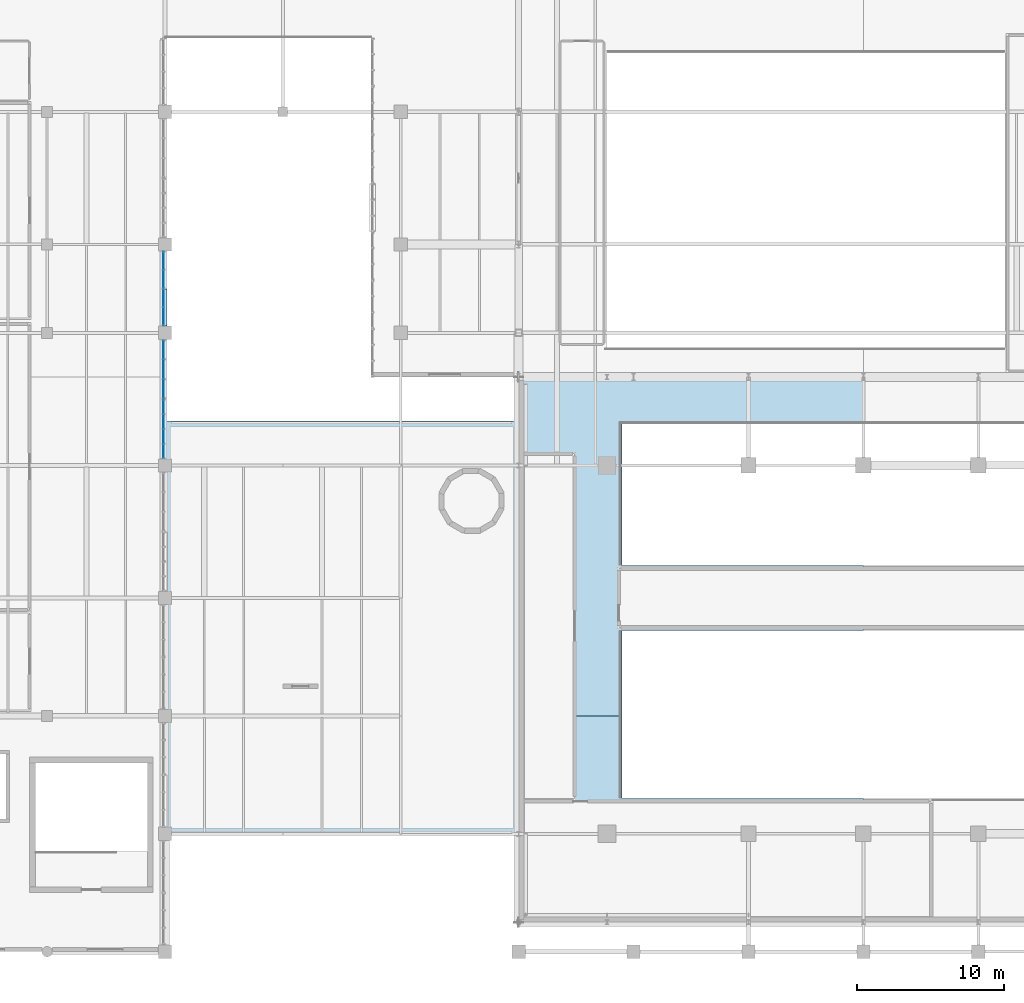
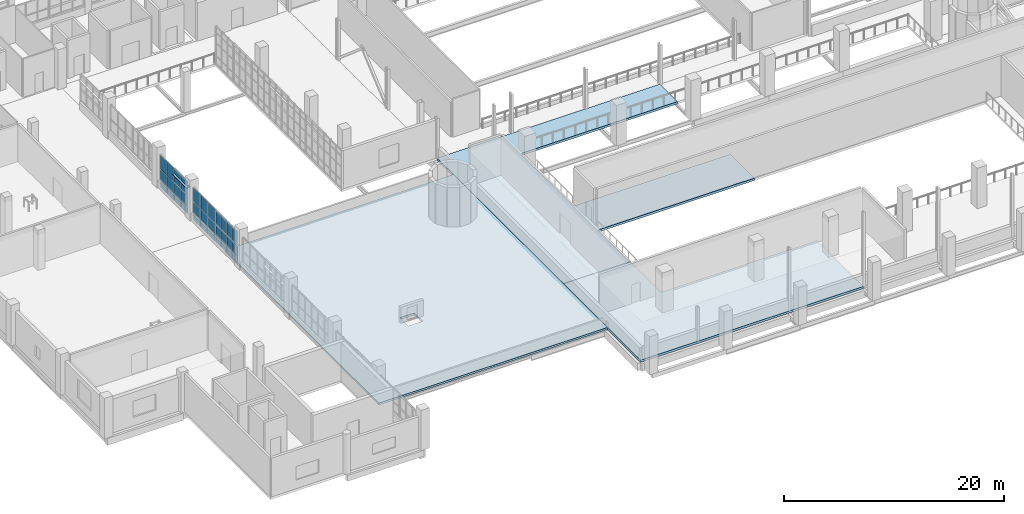
# One storey, part 52 of 85: 34 plates, 3 slabs, 4 elements without a shape of their own.
"""IFC4 building model written with IfcOpenShell, lengths in metres."""

from ifc_helpers import new_model, si_unit, derived_unit, direction, frame, origin, origin_2d, place, context, subcontext, project, spatial, polyline, rectangle, outline, extrude, material, layer, layer_set, type_object, element, aggregate, save


model = new_model("IFC4")

# Units and contexts
model_context = context("Model", 3, precision=1e-05, world=origin(), true_north=direction((0.0, 1.0)))
body_context = subcontext(model_context, "Body", "Model", "MODEL_VIEW")
ifc_project = project(units=[si_unit("LENGTHUNIT", "METRE"), si_unit("AREAUNIT", "SQUARE_METRE"), si_unit("VOLUMEUNIT", "CUBIC_METRE"), si_unit("PLANEANGLEUNIT", "RADIAN"), si_unit("MASSUNIT", "GRAM", prefix="KILO"), derived_unit("THERMALTRANSMITTANCEUNIT", [(si_unit("POWERUNIT", "WATT"), 1), (si_unit("LENGTHUNIT", "METRE"), -2), (si_unit("THERMODYNAMICTEMPERATUREUNIT", "KELVIN"), -1)])], contexts=[model_context])

# Site, building, storey
site_placement = place(None, origin())
site = spatial("IfcSite", under=ifc_project, at=site_placement, CompositionType="ELEMENT")
building_placement = place(site_placement, origin())
building = spatial("IfcBuilding", under=site, at=building_placement, Name="Nallur Shell Playhouse", CompositionType="ELEMENT")
storey_placement = place(building_placement, frame((0.0, 0.0, 19.800048828125)))
storey = spatial("IfcBuildingStorey", under=building, at=storey_placement, Name="L05", CompositionType="ELEMENT", Elevation=19.800048828125)

# Curtain wall, plates
ifc_material_1 = material(Name="Anodised Aluminium Double-Glazed Facade System", Category="aluminium")
ifc_layer_1 = layer(ifc_material_1, 0.179931640625)
ifc_layer_set_1 = layer_set([ifc_layer_1], Name="Anodised Aluminium Double-Glazed Facade System")
curtain_wall_type_1 = type_object("IfcCurtainWallType", Name="CW-UNIT-17", PredefinedType="NOTDEFINED", material=ifc_layer_set_1)
curtain_wall_1_placement = place(storey_placement, origin())
curtain_wall_1 = element("IfcCurtainWall", 1, at=curtain_wall_1_placement, inside=storey, type_object=curtain_wall_type_1, Name="Unitised curtain wall CW-177 (L05)", PredefinedType="NOTDEFINED")
ifc_material_2 = material(Name="Solar-Control Low-E Laminated Insulating Glass", Category="glass")
ifc_layer_2 = layer(ifc_material_2, 0.02587890625)
ifc_layer_set_2 = layer_set([ifc_layer_2], Name="Solar-Control Low-E Laminated Insulating Glass")
plate_type_1 = type_object("IfcPlateType", Name="PT-GLZ-01", PredefinedType="CURTAIN_PANEL", material=ifc_layer_set_2)
plate_1_placement = place(storey_placement, frame((39.909912109375, 48.850341796875, 0.05712890625), z_axis=(0.0, 0.0, 1.0), x_axis=(0.0, -1.0, 0.0)))
plate_1 = element("IfcPlate", 2, at=plate_1_placement, type_object=plate_type_1, Name="CW-17 panel 1.1", PredefinedType="CURTAIN_PANEL", context=body_context, shape_type="SweptSolid", body=[
    extrude(rectangle(XDim=1.249267578125, YDim=0.02587890625, at=origin_2d()), origin(), (0.0, 0.0, 1.0), 0.818603515625),
])
plate_2_placement = place(storey_placement, frame((39.909912109375, 48.850341796875, 0.92431640625), z_axis=(0.0, 0.0, 1.0), x_axis=(0.0, -1.0, 0.0)))
plate_2 = element("IfcPlate", 3, at=plate_2_placement, type_object=plate_type_1, Name="CW-17 panel 1.2", PredefinedType="CURTAIN_PANEL", context=body_context, shape_type="SweptSolid", body=[
    extrude(rectangle(XDim=1.249267578125, YDim=0.02587890625, at=origin_2d()), origin(), (0.0, 0.0, 1.0), 1.10302734375),
])
plate_3_placement = place(storey_placement, frame((39.909912109375, 48.850341796875, 2.07666015625), z_axis=(0.0, 0.0, 1.0), x_axis=(0.0, -1.0, 0.0)))
plate_3 = element("IfcPlate", 4, at=plate_3_placement, type_object=plate_type_1, Name="CW-17 panel 1.3", PredefinedType="CURTAIN_PANEL", context=body_context, shape_type="SweptSolid", body=[
    extrude(rectangle(XDim=1.249267578125, YDim=0.02587890625, at=origin_2d()), origin(), (0.0, 0.0, 1.0), 1.531494140625),
])
plate_4_placement = place(storey_placement, frame((39.909912109375, 47.5234375, 0.05712890625), z_axis=(0.0, 0.0, 1.0), x_axis=(0.0, -1.0, 0.0)))
plate_4 = element("IfcPlate", 5, at=plate_4_placement, type_object=plate_type_1, Name="CW-17 panel 2.1", PredefinedType="CURTAIN_PANEL", context=body_context, shape_type="SweptSolid", body=[
    extrude(rectangle(XDim=1.28662109375, YDim=0.02587890625, at=origin_2d()), origin(), (0.0, 0.0, 1.0), 0.818603515625),
])
plate_5_placement = place(storey_placement, frame((39.909912109375, 47.5234375, 0.92431640625), z_axis=(0.0, 0.0, 1.0), x_axis=(0.0, -1.0, 0.0)))
plate_5 = element("IfcPlate", 6, at=plate_5_placement, type_object=plate_type_1, Name="CW-17 panel 2.2", PredefinedType="CURTAIN_PANEL", context=body_context, shape_type="SweptSolid", body=[
    extrude(rectangle(XDim=1.28662109375, YDim=0.02587890625, at=origin_2d()), origin(), (0.0, 0.0, 1.0), 1.10302734375),
])
plate_6_placement = place(storey_placement, frame((39.909912109375, 47.5234375, 2.07666015625), z_axis=(0.0, 0.0, 1.0), x_axis=(0.0, -1.0, 0.0)))
plate_6 = element("IfcPlate", 7, at=plate_6_placement, type_object=plate_type_1, Name="CW-17 panel 2.3", PredefinedType="CURTAIN_PANEL", context=body_context, shape_type="SweptSolid", body=[
    extrude(rectangle(XDim=1.28662109375, YDim=0.02587890625, at=origin_2d()), origin(), (0.0, 0.0, 1.0), 1.531494140625),
])
plate_7_placement = place(storey_placement, frame((39.909912109375, 46.196533203125, 0.05712890625), z_axis=(0.0, 0.0, 1.0), x_axis=(0.0, -1.0, 0.0)))
plate_7 = element("IfcPlate", 8, at=plate_7_placement, type_object=plate_type_1, Name="CW-17 panel 3.1", PredefinedType="CURTAIN_PANEL", context=body_context, shape_type="SweptSolid", body=[
    extrude(rectangle(XDim=1.249267578125, YDim=0.02587890625, at=origin_2d()), origin(), (0.0, 0.0, 1.0), 0.818603515625),
])
plate_8_placement = place(storey_placement, frame((39.909912109375, 46.196533203125, 0.92431640625), z_axis=(0.0, 0.0, 1.0), x_axis=(0.0, -1.0, 0.0)))
plate_8 = element("IfcPlate", 9, at=plate_8_placement, type_object=plate_type_1, Name="CW-17 panel 3.2", PredefinedType="CURTAIN_PANEL", context=body_context, shape_type="SweptSolid", body=[
    extrude(rectangle(XDim=1.249267578125, YDim=0.02587890625, at=origin_2d()), origin(), (0.0, 0.0, 1.0), 1.10302734375),
])
plate_9_placement = place(storey_placement, frame((39.909912109375, 46.196533203125, 2.07666015625), z_axis=(0.0, 0.0, 1.0), x_axis=(0.0, -1.0, 0.0)))
plate_9 = element("IfcPlate", 10, at=plate_9_placement, type_object=plate_type_1, Name="CW-17 panel 3.3", PredefinedType="CURTAIN_PANEL", context=body_context, shape_type="SweptSolid", body=[
    extrude(rectangle(XDim=1.249267578125, YDim=0.02587890625, at=origin_2d()), origin(), (0.0, 0.0, 1.0), 1.531494140625),
])
aggregate(curtain_wall_1, [plate_1, plate_2, plate_3, plate_4, plate_5, plate_6, plate_7, plate_8, plate_9])

ifc_layer_3 = layer(ifc_material_1, 0.159912109375)
ifc_layer_set_3 = layer_set([ifc_layer_3], Name="Anodised Aluminium Double-Glazed Facade System")
curtain_wall_type_2 = type_object("IfcCurtainWallType", Name="CW-UNIT-18", PredefinedType="NOTDEFINED", material=ifc_layer_set_3)
curtain_wall_2_placement = place(storey_placement, origin())
curtain_wall_2 = element("IfcCurtainWall", 11, at=curtain_wall_2_placement, inside=storey, type_object=curtain_wall_type_2, Name="Unitised curtain wall CW-178 (L05)", PredefinedType="NOTDEFINED")
ifc_layer_4 = layer(ifc_material_2, 0.028076171875)
ifc_layer_set_4 = layer_set([ifc_layer_4], Name="Solar-Control Low-E Laminated Insulating Glass")
plate_type_2 = type_object("IfcPlateType", Name="PT-GLZ-02", PredefinedType="CURTAIN_PANEL", material=ifc_layer_set_4)
plate_10_placement = place(storey_placement, frame((39.909912109375, 44.97412109375, 0.091796875), z_axis=(0.0, 0.0, 1.0), x_axis=(0.0, -1.0, 0.0)))
plate_10 = element("IfcPlate", 12, at=plate_10_placement, type_object=plate_type_2, Name="CW-18 panel 1.1", PredefinedType="CURTAIN_PANEL", context=body_context, shape_type="SweptSolid", body=[
    extrude(rectangle(XDim=0.927734375, YDim=0.028076171875, at=origin_2d()), origin(), (0.0, 0.0, 1.0), 0.76611328125),
])
plate_11_placement = place(storey_placement, frame((39.909912109375, 44.97412109375, 0.94189453125), z_axis=(0.0, 0.0, 1.0), x_axis=(0.0, -1.0, 0.0)))
plate_11 = element("IfcPlate", 13, at=plate_11_placement, type_object=plate_type_2, Name="CW-18 panel 1.2", PredefinedType="CURTAIN_PANEL", context=body_context, shape_type="SweptSolid", body=[
    extrude(rectangle(XDim=0.927734375, YDim=0.028076171875, at=origin_2d()), origin(), (0.0, 0.0, 1.0), 1.056884765625),
])
plate_12_placement = place(storey_placement, frame((39.909912109375, 44.97412109375, 2.0830078125), z_axis=(0.0, 0.0, 1.0), x_axis=(0.0, -1.0, 0.0)))
plate_12 = element("IfcPlate", 14, at=plate_12_placement, type_object=plate_type_2, Name="CW-18 panel 1.3", PredefinedType="CURTAIN_PANEL", context=body_context, shape_type="SweptSolid", body=[
    extrude(rectangle(XDim=0.927734375, YDim=0.028076171875, at=origin_2d()), origin(), (0.0, 0.0, 1.0), 1.469970703125),
])
plate_13_placement = place(storey_placement, frame((39.909912109375, 43.981201171875, 0.091796875), z_axis=(0.0, 0.0, 1.0), x_axis=(0.0, -1.0, 0.0)))
plate_13 = element("IfcPlate", 15, at=plate_13_placement, type_object=plate_type_2, Name="CW-18 panel 2.1", PredefinedType="CURTAIN_PANEL", context=body_context, shape_type="SweptSolid", body=[
    extrude(rectangle(XDim=0.960205078125, YDim=0.028076171875, at=origin_2d()), origin(), (0.0, 0.0, 1.0), 0.76611328125),
])
plate_14_placement = place(storey_placement, frame((39.909912109375, 43.981201171875, 0.94189453125), z_axis=(0.0, 0.0, 1.0), x_axis=(0.0, -1.0, 0.0)))
plate_14 = element("IfcPlate", 16, at=plate_14_placement, type_object=plate_type_2, Name="CW-18 panel 2.2", PredefinedType="CURTAIN_PANEL", context=body_context, shape_type="SweptSolid", body=[
    extrude(rectangle(XDim=0.960205078125, YDim=0.028076171875, at=origin_2d()), origin(), (0.0, 0.0, 1.0), 1.056884765625),
])
plate_15_placement = place(storey_placement, frame((39.909912109375, 43.981201171875, 2.0830078125), z_axis=(0.0, 0.0, 1.0), x_axis=(0.0, -1.0, 0.0)))
plate_15 = element("IfcPlate", 17, at=plate_15_placement, type_object=plate_type_2, Name="CW-18 panel 2.3", PredefinedType="CURTAIN_PANEL", context=body_context, shape_type="SweptSolid", body=[
    extrude(rectangle(XDim=0.960205078125, YDim=0.028076171875, at=origin_2d()), origin(), (0.0, 0.0, 1.0), 1.469970703125),
])
plate_16_placement = place(storey_placement, frame((39.909912109375, 42.971923828125, 0.091796875), z_axis=(0.0, 0.0, 1.0), x_axis=(0.0, -1.0, 0.0)))
plate_16 = element("IfcPlate", 18, at=plate_16_placement, type_object=plate_type_2, Name="CW-18 panel 3.1", PredefinedType="CURTAIN_PANEL", context=body_context, shape_type="SweptSolid", body=[
    extrude(rectangle(XDim=0.960205078125, YDim=0.028076171875, at=origin_2d()), origin(), (0.0, 0.0, 1.0), 0.76611328125),
])
plate_17_placement = place(storey_placement, frame((39.909912109375, 42.971923828125, 0.94189453125), z_axis=(0.0, 0.0, 1.0), x_axis=(0.0, -1.0, 0.0)))
plate_17 = element("IfcPlate", 19, at=plate_17_placement, type_object=plate_type_2, Name="CW-18 panel 3.2", PredefinedType="CURTAIN_PANEL", context=body_context, shape_type="SweptSolid", body=[
    extrude(rectangle(XDim=0.960205078125, YDim=0.028076171875, at=origin_2d()), origin(), (0.0, 0.0, 1.0), 1.056884765625),
])
plate_18_placement = place(storey_placement, frame((39.909912109375, 42.971923828125, 2.0830078125), z_axis=(0.0, 0.0, 1.0), x_axis=(0.0, -1.0, 0.0)))
plate_18 = element("IfcPlate", 20, at=plate_18_placement, type_object=plate_type_2, Name="CW-18 panel 3.3", PredefinedType="CURTAIN_PANEL", context=body_context, shape_type="SweptSolid", body=[
    extrude(rectangle(XDim=0.960205078125, YDim=0.028076171875, at=origin_2d()), origin(), (0.0, 0.0, 1.0), 1.469970703125),
])
plate_19_placement = place(storey_placement, frame((39.909912109375, 41.978759765625, 0.091796875), z_axis=(0.0, 0.0, 1.0), x_axis=(0.0, -1.0, 0.0)))
plate_19 = element("IfcPlate", 21, at=plate_19_placement, type_object=plate_type_2, Name="CW-18 panel 4.1", PredefinedType="CURTAIN_PANEL", context=body_context, shape_type="SweptSolid", body=[
    extrude(rectangle(XDim=0.927734375, YDim=0.028076171875, at=origin_2d()), origin(), (0.0, 0.0, 1.0), 0.76611328125),
])
plate_20_placement = place(storey_placement, frame((39.909912109375, 41.978759765625, 0.94189453125), z_axis=(0.0, 0.0, 1.0), x_axis=(0.0, -1.0, 0.0)))
plate_20 = element("IfcPlate", 22, at=plate_20_placement, type_object=plate_type_2, Name="CW-18 panel 4.2", PredefinedType="CURTAIN_PANEL", context=body_context, shape_type="SweptSolid", body=[
    extrude(rectangle(XDim=0.927734375, YDim=0.028076171875, at=origin_2d()), origin(), (0.0, 0.0, 1.0), 1.056884765625),
])
plate_21_placement = place(storey_placement, frame((39.909912109375, 41.978759765625, 2.0830078125), z_axis=(0.0, 0.0, 1.0), x_axis=(0.0, -1.0, 0.0)))
plate_21 = element("IfcPlate", 23, at=plate_21_placement, type_object=plate_type_2, Name="CW-18 panel 4.3", PredefinedType="CURTAIN_PANEL", context=body_context, shape_type="SweptSolid", body=[
    extrude(rectangle(XDim=0.927734375, YDim=0.028076171875, at=origin_2d()), origin(), (0.0, 0.0, 1.0), 1.469970703125),
])
aggregate(curtain_wall_2, [plate_10, plate_11, plate_12, plate_13, plate_14, plate_15, plate_16, plate_17, plate_18, plate_19, plate_20, plate_21])

ifc_layer_5 = layer(ifc_material_1, 0.172119140625)
ifc_layer_set_5 = layer_set([ifc_layer_5], Name="Anodised Aluminium Double-Glazed Facade System")
curtain_wall_type_3 = type_object("IfcCurtainWallType", Name="CW-UNIT-15", PredefinedType="NOTDEFINED", material=ifc_layer_set_5)
curtain_wall_3_placement = place(storey_placement, origin())
curtain_wall_3 = element("IfcCurtainWall", 24, at=curtain_wall_3_placement, inside=storey, type_object=curtain_wall_type_3, Name="Unitised curtain wall CW-175 (L05)", PredefinedType="NOTDEFINED")
ifc_layer_6 = layer(ifc_material_2, 0.0380859375)
ifc_layer_set_6 = layer_set([ifc_layer_6], Name="Solar-Control Low-E Laminated Insulating Glass")
plate_type_3 = type_object("IfcPlateType", Name="PT-GLZ-07", PredefinedType="CURTAIN_PANEL", material=ifc_layer_set_6)
plate_22_placement = place(storey_placement, frame((39.909912109375, 54.8916015625, 0.05712890625), z_axis=(0.0, 0.0, 1.0), x_axis=(0.0, -1.0, 0.0)))
plate_22 = element("IfcPlate", 25, at=plate_22_placement, type_object=plate_type_3, Name="CW-15 panel 1.1", PredefinedType="CURTAIN_PANEL", context=body_context, shape_type="SweptSolid", body=[
    extrude(rectangle(XDim=1.18701171875, YDim=0.0380859375, at=origin_2d()), origin(), (0.0, 0.0, 1.0), 0.818603515625),
])
plate_23_placement = place(storey_placement, frame((39.909912109375, 54.8916015625, 0.924560546875), z_axis=(0.0, 0.0, 1.0), x_axis=(0.0, -1.0, 0.0)))
plate_23 = element("IfcPlate", 26, at=plate_23_placement, type_object=plate_type_3, Name="CW-15 panel 1.2", PredefinedType="CURTAIN_PANEL", context=body_context, shape_type="SweptSolid", body=[
    extrude(rectangle(XDim=1.18701171875, YDim=0.0380859375, at=origin_2d()), origin(), (0.0, 0.0, 1.0), 1.10888671875),
])
plate_24_placement = place(storey_placement, frame((39.909912109375, 54.8916015625, 2.08251953125), z_axis=(0.0, 0.0, 1.0), x_axis=(0.0, -1.0, 0.0)))
plate_24 = element("IfcPlate", 27, at=plate_24_placement, type_object=plate_type_3, Name="CW-15 panel 1.3", PredefinedType="CURTAIN_PANEL", context=body_context, shape_type="SweptSolid", body=[
    extrude(rectangle(XDim=1.18701171875, YDim=0.0380859375, at=origin_2d()), origin(), (0.0, 0.0, 1.0), 1.535400390625),
])
plate_25_placement = place(storey_placement, frame((39.909912109375, 53.655517578125, 0.05712890625), z_axis=(0.0, 0.0, 1.0), x_axis=(0.0, -1.0, 0.0)))
plate_25 = element("IfcPlate", 28, at=plate_25_placement, type_object=plate_type_3, Name="CW-15 panel 2.1", PredefinedType="CURTAIN_PANEL", context=body_context, shape_type="SweptSolid", body=[
    extrude(rectangle(XDim=1.18701171875, YDim=0.0380859375, at=origin_2d()), origin(), (0.0, 0.0, 1.0), 0.818603515625),
])
plate_26_placement = place(storey_placement, frame((39.909912109375, 53.655517578125, 0.924560546875), z_axis=(0.0, 0.0, 1.0), x_axis=(0.0, -1.0, 0.0)))
plate_26 = element("IfcPlate", 29, at=plate_26_placement, type_object=plate_type_3, Name="CW-15 panel 2.2", PredefinedType="CURTAIN_PANEL", context=body_context, shape_type="SweptSolid", body=[
    extrude(rectangle(XDim=1.18701171875, YDim=0.0380859375, at=origin_2d()), origin(), (0.0, 0.0, 1.0), 1.10888671875),
])
plate_27_placement = place(storey_placement, frame((39.909912109375, 53.655517578125, 2.08251953125), z_axis=(0.0, 0.0, 1.0), x_axis=(0.0, -1.0, 0.0)))
plate_27 = element("IfcPlate", 30, at=plate_27_placement, type_object=plate_type_3, Name="CW-15 panel 2.3", PredefinedType="CURTAIN_PANEL", context=body_context, shape_type="SweptSolid", body=[
    extrude(rectangle(XDim=1.18701171875, YDim=0.0380859375, at=origin_2d()), origin(), (0.0, 0.0, 1.0), 1.535400390625),
])
aggregate(curtain_wall_3, [plate_22, plate_23, plate_24, plate_25, plate_26, plate_27])

ifc_layer_7 = layer(ifc_material_1, 0.176025390625)
ifc_layer_set_7 = layer_set([ifc_layer_7], Name="Anodised Aluminium Double-Glazed Facade System")
curtain_wall_type_4 = type_object("IfcCurtainWallType", Name="CW-UNIT-16", PredefinedType="NOTDEFINED", material=ifc_layer_set_7)
curtain_wall_4_placement = place(storey_placement, origin())
curtain_wall_4 = element("IfcCurtainWall", 31, at=curtain_wall_4_placement, inside=storey, type_object=curtain_wall_type_4, Name="Unitised curtain wall CW-176 (L05)", PredefinedType="NOTDEFINED")
ifc_layer_8 = layer(ifc_material_2, 0.0400390625)
ifc_layer_set_8 = layer_set([ifc_layer_8], Name="Solar-Control Low-E Laminated Insulating Glass")
plate_type_4 = type_object("IfcPlateType", Name="PT-GLZ-08", PredefinedType="CURTAIN_PANEL", material=ifc_layer_set_8)
plate_28_placement = place(storey_placement, frame((39.909912109375, 52.3408203125, 0.091796875), z_axis=(0.0, 0.0, 1.0), x_axis=(0.0, -1.0, 0.0)))
plate_28 = element("IfcPlate", 32, at=plate_28_placement, type_object=plate_type_4, Name="CW-16 panel 1.1", PredefinedType="CURTAIN_PANEL", context=body_context, shape_type="SweptSolid", body=[
    extrude(rectangle(XDim=1.16455078125, YDim=0.0400390625, at=origin_2d()), origin(), (0.0, 0.0, 1.0), 0.76611328125),
])
plate_29_placement = place(storey_placement, frame((39.909912109375, 52.3408203125, 0.94189453125), z_axis=(0.0, 0.0, 1.0), x_axis=(0.0, -1.0, 0.0)))
plate_29 = element("IfcPlate", 33, at=plate_29_placement, type_object=plate_type_4, Name="CW-16 panel 1.2", PredefinedType="CURTAIN_PANEL", context=body_context, shape_type="SweptSolid", body=[
    extrude(rectangle(XDim=1.16455078125, YDim=0.0400390625, at=origin_2d()), origin(), (0.0, 0.0, 1.0), 1.10791015625),
])
plate_30_placement = place(storey_placement, frame((39.909912109375, 52.3408203125, 2.1337890625), z_axis=(0.0, 0.0, 1.0), x_axis=(0.0, -1.0, 0.0)))
plate_30 = element("IfcPlate", 34, at=plate_30_placement, type_object=plate_type_4, Name="CW-16 panel 1.3", PredefinedType="CURTAIN_PANEL", context=body_context, shape_type="SweptSolid", body=[
    extrude(rectangle(XDim=1.16455078125, YDim=0.0400390625, at=origin_2d()), origin(), (0.0, 0.0, 1.0), 1.509033203125),
])
plate_31_placement = place(storey_placement, frame((39.909912109375, 51.1123046875, 0.091796875), z_axis=(0.0, 0.0, 1.0), x_axis=(0.0, -1.0, 0.0)))
plate_31 = element("IfcPlate", 35, at=plate_31_placement, type_object=plate_type_4, Name="CW-16 panel 2.1", PredefinedType="CURTAIN_PANEL", context=body_context, shape_type="SweptSolid", body=[
    extrude(rectangle(XDim=1.16455078125, YDim=0.0400390625, at=origin_2d()), origin(), (0.0, 0.0, 1.0), 0.76611328125),
])
plate_32_placement = place(storey_placement, frame((39.909912109375, 51.1123046875, 0.94189453125), z_axis=(0.0, 0.0, 1.0), x_axis=(0.0, -1.0, 0.0)))
plate_32 = element("IfcPlate", 36, at=plate_32_placement, type_object=plate_type_4, Name="CW-16 panel 2.2", PredefinedType="CURTAIN_PANEL", context=body_context, shape_type="SweptSolid", body=[
    extrude(rectangle(XDim=1.16455078125, YDim=0.0400390625, at=origin_2d()), origin(), (0.0, 0.0, 1.0), 1.10791015625),
])
plate_33_placement = place(storey_placement, frame((39.909912109375, 51.1123046875, 2.1337890625), z_axis=(0.0, 0.0, 1.0), x_axis=(0.0, -1.0, 0.0)))
plate_33 = element("IfcPlate", 37, at=plate_33_placement, type_object=plate_type_4, Name="CW-16 panel 2.3", PredefinedType="CURTAIN_PANEL", context=body_context, shape_type="SweptSolid", body=[
    extrude(rectangle(XDim=1.16455078125, YDim=0.0400390625, at=origin_2d()), origin(), (0.0, 0.0, 1.0), 1.509033203125),
])
aggregate(curtain_wall_4, [plate_28, plate_29, plate_30, plate_31, plate_32, plate_33])

# Plate
ifc_material_3 = material(Name="Terracotta & Gold-Anodised Monsoon Sunshade Blade", Category="masonry")
ifc_layer_9 = layer(ifc_material_3, 0.06005859375)
ifc_layer_set_9 = layer_set([ifc_layer_9], Name="Terracotta & Gold-Anodised Monsoon Sunshade Blade")
plate_type_5 = type_object("IfcPlateType", Name="PT-LOUVRE-04", PredefinedType="USERDEFINED", material=ifc_layer_set_9)
plate_34_placement = place(storey_placement, frame((39.909912109375, 51.7265625, 3.02490234375), z_axis=(0.0, 0.0, 1.0), x_axis=(0.0, -1.0, 0.0)))
element("IfcPlate", 38, at=plate_34_placement, inside=storey, type_object=plate_type_5, Name="Monsoon sunshade louvre blade LV-044", ObjectType="SUNSHADE LOUVRE", PredefinedType="USERDEFINED", context=body_context, shape_type="SweptSolid", body=[
    extrude(rectangle(XDim=2.4970703125, YDim=0.419921875, at=origin_2d()), origin(), (0.0, 0.0, 1.0), 0.06005859375),
])

# Slabs
ifc_material_4 = material(Name="Concrete M35", Category="concrete")
ifc_layer_10 = layer(ifc_material_4, 0.219970703125)
ifc_layer_set_10 = layer_set([ifc_layer_10], Name="Concrete M35")
slab_type_1 = type_object("IfcSlabType", Name="SL-FLATROOF-220", PredefinedType="ROOF", material=ifc_layer_set_10)
slab_1_placement = place(storey_placement, frame((0.0, 0.0, -0.219970703125)))
element("IfcSlab", 39, at=slab_1_placement, inside=storey, type_object=slab_type_1, Name="L05 Monsoon Foyer Atrium roof slab", PredefinedType="ROOF", context=body_context, shape_type="SweptSolid", body=[
    extrude(outline(polyline([(40.0, 16.0), (40.0, 44.0), (64.0, 44.0), (64.0, 16.0), (40.0, 16.0)]), holes=[polyline([(48.449951171875, 26.75), (48.449951171875, 25.25), (49.949951171875, 25.25), (49.949951171875, 26.75), (48.449951171875, 26.75)])]), origin(), (0.0, 0.0, 1.0), 0.219970703125),
])
ifc_material_5 = material(Name="Concrete M30", Category="concrete")
ifc_layer_11 = layer(ifc_material_5, 0.25)
ifc_layer_set_11 = layer_set([ifc_layer_11], Name="Concrete M30")
slab_type_2 = type_object("IfcSlabType", Name="SL-UPPER-250", PredefinedType="FLOOR", material=ifc_layer_set_11)
slab_2_placement = place(storey_placement, frame((0.0, 0.0, -0.25)))
element("IfcSlab", 40, at=slab_2_placement, inside=storey, type_object=slab_type_2, Name="L05 structural floor slab panel 07", PredefinedType="FLOOR", context=body_context, shape_type="SweptSolid", body=[
    extrude(outline(polyline([(64.0, 10.0), (64.0, 24.0), (71.0, 24.0), (71.0, 18.39990234375), (87.39990234375, 18.39990234375), (87.39990234375, 10.0), (64.0, 10.0)])), origin(), (0.0, 0.0, 1.0), 0.25),
])
slab_3_placement = place(storey_placement, frame((0.0, 0.0, -0.25)))
element("IfcSlab", 41, at=slab_3_placement, inside=storey, type_object=slab_type_2, Name="L05 structural floor slab panel 08", PredefinedType="FLOOR", context=body_context, shape_type="SweptSolid", body=[
    extrude(outline(polyline([(64.0, 47.0), (87.39990234375, 47.0), (87.39990234375, 43.800048828125), (71.0, 43.800048828125), (71.0, 34.199951171875), (87.39990234375, 34.199951171875), (87.39990234375, 29.800048828125), (71.0, 29.800048828125), (71.0, 24.0), (64.0, 24.0), (64.0, 47.0)])), origin(), (0.0, 0.0, 1.0), 0.25),
])

save(model, "model.ifc")
